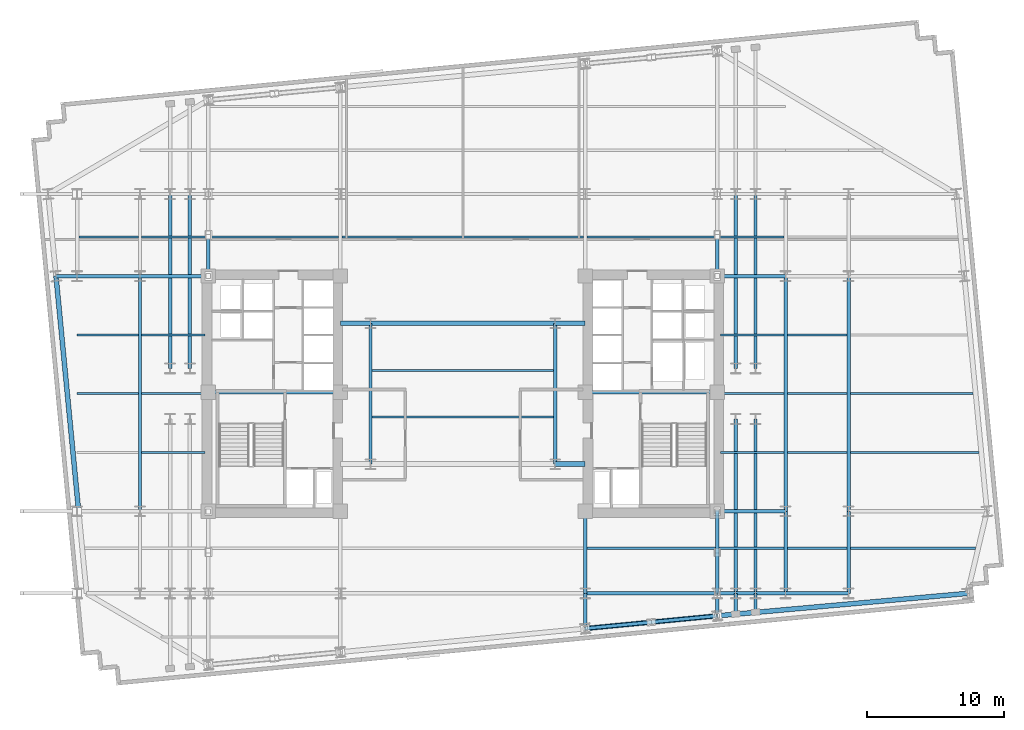
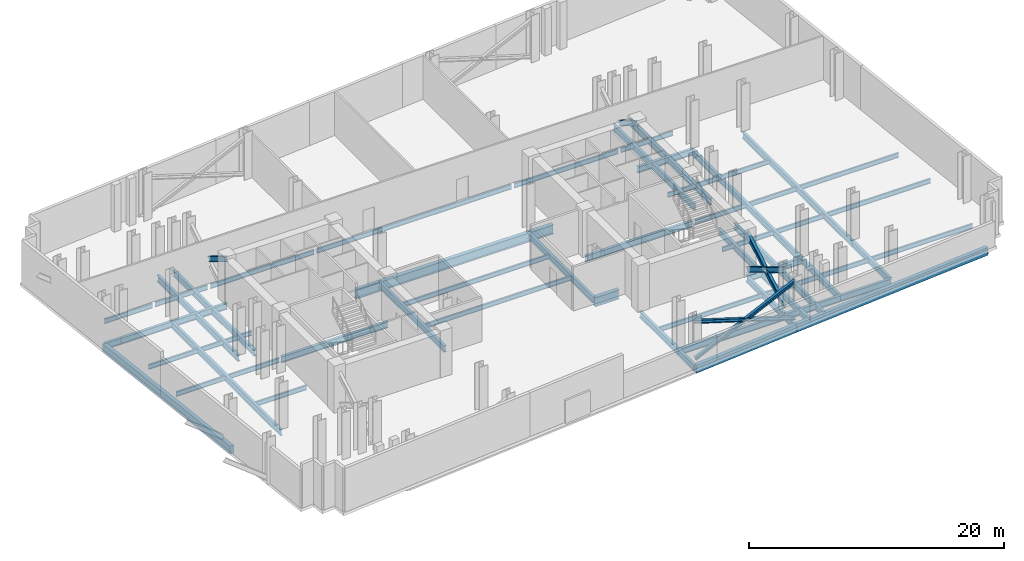
# One storey, part 2 of 9: 61 beams, 8 members.
"""IFC4 building model written with IfcOpenShell, lengths in metres."""

from ifc_helpers import new_model, si_unit, direction, frame, origin, origin_2d, place, context, subcontext, project, spatial, rectangle, i_section, extrude, material, material_profile, profile_set, type_object, element, save


model = new_model("IFC4")

# Units and contexts
model_context = context("Model", 3, precision=1e-05, world=origin(), true_north=direction((0.0, 1.0)))
body_context = subcontext(model_context, "Body", "Model", "MODEL_VIEW")
ifc_project = project(units=[si_unit("LENGTHUNIT", "METRE"), si_unit("AREAUNIT", "SQUARE_METRE"), si_unit("VOLUMEUNIT", "CUBIC_METRE"), si_unit("PLANEANGLEUNIT", "RADIAN"), si_unit("MASSUNIT", "GRAM", prefix="KILO")], contexts=[model_context])

# Site, building, storey
site_placement = place(None, origin())
site = spatial("IfcSite", under=ifc_project, at=site_placement, CompositionType="ELEMENT")
building_placement = place(site_placement, origin())
building = spatial("IfcBuilding", under=site, at=building_placement, Name="Velakula Bourse", CompositionType="ELEMENT")
storey_placement = place(building_placement, frame((0.0, 0.0, 112.14990234375)))
storey = spatial("IfcBuildingStorey", under=building, at=storey_placement, Name="L30", CompositionType="ELEMENT", Elevation=112.14990234375)

# Beams
ifc_material_1 = material(Name="Steel IS 2062 Grade 350 (E350)", Category="steel")
ifc_material_profile_1 = material_profile(ifc_material_1, i_section(OverallWidth=0.25, OverallDepth=0.60009765625, WebThickness=0.01123046875, FlangeThickness=0.021240234375, at=origin_2d()), Name="Steel IS 2062 Grade 350 (E350)")
ifc_profile_set_1 = profile_set([ifc_material_profile_1], Name="Steel IS 2062 Grade 350 (E350)")
beam_type_1 = type_object("IfcBeamType", Name="BM-GRD-600M", PredefinedType="BEAM", material=ifc_profile_set_1)
for number, where, z_axis, x_axis, name in (
    (1, (-18.60009765625, 0.10009765625, -0.579833984375), (1.0, 0.0, 0.0), (0.0, 1.0, 0.0), "L30 Primary Backbone Girder CRW-M"),
    (2, (8.949951171875, 0.10009765625, -0.579833984375), (1.0, 0.0, 0.0), (0.0, 1.0, 0.0), "L30 Primary Backbone Girder CRE-M"),
):
    element("IfcBeam", number, at=place(storey_placement, frame(where, z_axis=z_axis, x_axis=x_axis)), inside=storey, type_object=beam_type_1, Name=name, PredefinedType="BEAM", context=body_context, shape_type="SweptSolid", body=[
        extrude(i_section(OverallWidth=0.25, OverallDepth=0.60009765625, WebThickness=0.01123046875, FlangeThickness=0.021240234375, at=origin_2d()), origin(), (0.0, 0.0, 1.0), 9.650146484375),
    ])
for number, where, z_axis, x_axis, name in (
    (3, (-6.75, -5.14990234375, -0.579833984375), (0.0, 1.0, 0.0), (-1.0, 0.0, 0.0), "L30 Primary Backbone Girder SPN-W"),
    (4, (6.75, -5.14990234375, -0.579833984375), (0.0, 1.0, 0.0), (-1.0, 0.0, 0.0), "L30 Primary Backbone Girder SPN-E"),
):
    element("IfcBeam", number, at=place(storey_placement, frame(where, z_axis=z_axis, x_axis=x_axis)), inside=storey, type_object=beam_type_1, Name=name, PredefinedType="BEAM", context=body_context, shape_type="SweptSolid", body=[
        extrude(i_section(OverallWidth=0.25, OverallDepth=0.60009765625, WebThickness=0.01123046875, FlangeThickness=0.021240234375, at=origin_2d()), origin(), (0.0, 0.0, 1.0), 10.2998046875),
    ])
for number, where, z_axis, x_axis, name in (
    (5, (8.949951171875, -14.60009765625, -0.579833984375), (0.0, 1.0, 0.0), (-1.0, 0.0, 0.0), "L30 Fulcrum Grid Girder FLC-ECS"),
    (6, (18.60009765625, -14.60009765625, -0.579833984375), (0.0, 1.0, 0.0), (-1.0, 0.0, 0.0), "L30 Fulcrum Grid Girder FLC-ES"),
):
    element("IfcBeam", number, at=place(storey_placement, frame(where, z_axis=z_axis, x_axis=x_axis)), inside=storey, type_object=beam_type_1, Name=name, PredefinedType="BEAM", context=body_context, shape_type="SweptSolid", body=[
        extrude(i_section(OverallWidth=0.25, OverallDepth=0.60009765625, WebThickness=0.01123046875, FlangeThickness=0.021240234375, at=origin_2d()), origin(), (0.0, 0.0, 1.0), 6.0),
    ])
beam_1_placement = place(storey_placement, frame((8.949951171875, -14.60009765625, -0.579833984375), z_axis=(1.0, 0.0, 0.0), x_axis=(0.0, 1.0, 0.0)))
element("IfcBeam", 7, at=beam_1_placement, inside=storey, type_object=beam_type_1, Name="L30 Fulcrum Grid Girder FLC-S3", PredefinedType="BEAM", context=body_context, shape_type="SweptSolid", body=[
    extrude(i_section(OverallWidth=0.25, OverallDepth=0.60009765625, WebThickness=0.01123046875, FlangeThickness=0.021240234375, at=origin_2d()), origin(), (0.0, 0.0, 1.0), 9.650146484375),
])
for number, where, z_axis, x_axis, name in (
    (8, (-21.39990234375, 1.85009765625, -0.579833984375), (0.0, 1.0, 0.0), (-1.0, 0.0, 0.0), "L30 Fulcrum Grid Girder FLC-PNW1"),
    (9, (-19.949951171875, 1.85009765625, -0.579833984375), (0.0, 1.0, 0.0), (-1.0, 0.0, 0.0), "L30 Fulcrum Grid Girder FLC-PNW2"),
    (10, (19.949951171875, -14.60009765625, -0.579833984375), (0.0, 1.0, 0.0), (-1.0, 0.0, 0.0), "L30 Fulcrum Grid Girder FLC-PSE1"),
    (11, (19.949951171875, 1.85009765625, -0.579833984375), (0.0, 1.0, 0.0), (-1.0, 0.0, 0.0), "L30 Fulcrum Grid Girder FLC-PNE1"),
    (12, (21.39990234375, -14.60009765625, -0.579833984375), (0.0, 1.0, 0.0), (-1.0, 0.0, 0.0), "L30 Fulcrum Grid Girder FLC-PSE2"),
    (13, (21.39990234375, 1.85009765625, -0.579833984375), (0.0, 1.0, 0.0), (-1.0, 0.0, 0.0), "L30 Fulcrum Grid Girder FLC-PNE2"),
):
    element("IfcBeam", number, at=place(storey_placement, frame(where, z_axis=z_axis, x_axis=x_axis)), inside=storey, type_object=beam_type_1, Name=name, PredefinedType="BEAM", context=body_context, shape_type="SweptSolid", body=[
        extrude(i_section(OverallWidth=0.25, OverallDepth=0.60009765625, WebThickness=0.01123046875, FlangeThickness=0.021240234375, at=origin_2d()), origin(), (0.0, 0.0, 1.0), 12.75),
    ])
beam_2_placement = place(storey_placement, frame((-23.60009765625, 8.60009765625, -0.579833984375), z_axis=(1.0, 0.0, 0.0), x_axis=(0.0, 1.0, 0.0)))
element("IfcBeam", 14, at=beam_2_placement, inside=storey, type_object=beam_type_1, Name="L30 Fulcrum Grid Girder MWG-WN1", PredefinedType="BEAM", context=body_context, shape_type="SweptSolid", body=[
    extrude(i_section(OverallWidth=0.25, OverallDepth=0.60009765625, WebThickness=0.01123046875, FlangeThickness=0.021240234375, at=origin_2d()), origin(), (0.0, 0.0, 1.0), 5.0),
])
beam_3_placement = place(storey_placement, frame((-23.60009765625, -8.60009765625, -0.579833984375), z_axis=(0.0, 1.0, 0.0), x_axis=(-1.0, 0.0, 0.0)))
element("IfcBeam", 15, at=beam_3_placement, inside=storey, type_object=beam_type_1, Name="L30 Fulcrum Grid Girder MWG-WNS2", PredefinedType="BEAM", context=body_context, shape_type="SweptSolid", body=[
    extrude(i_section(OverallWidth=0.25, OverallDepth=0.60009765625, WebThickness=0.01123046875, FlangeThickness=0.021240234375, at=origin_2d()), origin(), (0.0, 0.0, 1.0), 17.2001953125),
])
for number, where, z_axis, x_axis, name in (
    (16, (18.60009765625, -14.60009765625, -0.579833984375), (1.0, 0.0, 0.0), (0.0, 1.0, 0.0), "L30 Fulcrum Grid Girder MWG-ES1"),
    (17, (18.60009765625, -8.60009765625, -0.579833984375), (1.0, 0.0, 0.0), (0.0, 1.0, 0.0), "L30 Fulcrum Grid Girder MWG-ES2"),
    (18, (18.60009765625, 8.60009765625, -0.579833984375), (1.0, 0.0, 0.0), (0.0, 1.0, 0.0), "L30 Fulcrum Grid Girder MWG-EN1"),
):
    element("IfcBeam", number, at=place(storey_placement, frame(where, z_axis=z_axis, x_axis=x_axis)), inside=storey, type_object=beam_type_1, Name=name, PredefinedType="BEAM", context=body_context, shape_type="SweptSolid", body=[
        extrude(i_section(OverallWidth=0.25, OverallDepth=0.60009765625, WebThickness=0.01123046875, FlangeThickness=0.021240234375, at=origin_2d()), origin(), (0.0, 0.0, 1.0), 5.0),
    ])
beam_4_placement = place(storey_placement, frame((23.60009765625, -14.60009765625, -0.579833984375), z_axis=(0.0, 1.0, 0.0), x_axis=(-1.0, 0.0, 0.0)))
element("IfcBeam", 19, at=beam_4_placement, inside=storey, type_object=beam_type_1, Name="L30 Fulcrum Grid Girder MWG-ENS1", PredefinedType="BEAM", context=body_context, shape_type="SweptSolid", body=[
    extrude(i_section(OverallWidth=0.25, OverallDepth=0.60009765625, WebThickness=0.01123046875, FlangeThickness=0.021240234375, at=origin_2d()), origin(), (0.0, 0.0, 1.0), 6.0),
])
beam_5_placement = place(storey_placement, frame((23.60009765625, -8.60009765625, -0.579833984375), z_axis=(0.0, 1.0, 0.0), x_axis=(-1.0, 0.0, 0.0)))
element("IfcBeam", 20, at=beam_5_placement, inside=storey, type_object=beam_type_1, Name="L30 Fulcrum Grid Girder MWG-ENS2", PredefinedType="BEAM", context=body_context, shape_type="SweptSolid", body=[
    extrude(i_section(OverallWidth=0.25, OverallDepth=0.60009765625, WebThickness=0.01123046875, FlangeThickness=0.021240234375, at=origin_2d()), origin(), (0.0, 0.0, 1.0), 17.2001953125),
])
for number, where, z_axis, x_axis, name in (
    (21, (-28.199951171875, 8.60009765625, -0.579833984375), (1.0, 0.0, 0.0), (0.0, 1.0, 0.0), "L30 Fulcrum Grid Girder WNG-WN1"),
    (22, (23.60009765625, -14.60009765625, -0.579833984375), (1.0, 0.0, 0.0), (0.0, 1.0, 0.0), "L30 Fulcrum Grid Girder WNG-ES1"),
):
    element("IfcBeam", number, at=place(storey_placement, frame(where, z_axis=z_axis, x_axis=x_axis)), inside=storey, type_object=beam_type_1, Name=name, PredefinedType="BEAM", context=body_context, shape_type="SweptSolid", body=[
        extrude(i_section(OverallWidth=0.25, OverallDepth=0.60009765625, WebThickness=0.01123046875, FlangeThickness=0.021240234375, at=origin_2d()), origin(), (0.0, 0.0, 1.0), 4.599853515625),
    ])
beam_6_placement = place(storey_placement, frame((28.199951171875, -14.60009765625, -0.579833984375), z_axis=(0.0, 1.0, 0.0), x_axis=(-1.0, 0.0, 0.0)))
element("IfcBeam", 23, at=beam_6_placement, inside=storey, type_object=beam_type_1, Name="L30 Fulcrum Grid Girder WNG-ENS1", PredefinedType="BEAM", context=body_context, shape_type="SweptSolid", body=[
    extrude(i_section(OverallWidth=0.25, OverallDepth=0.60009765625, WebThickness=0.01123046875, FlangeThickness=0.021240234375, at=origin_2d()), origin(), (0.0, 0.0, 1.0), 6.0),
])
beam_7_placement = place(storey_placement, frame((28.199951171875, -8.60009765625, -0.579833984375), z_axis=(0.0, 1.0, 0.0), x_axis=(-1.0, 0.0, 0.0)))
element("IfcBeam", 24, at=beam_7_placement, inside=storey, type_object=beam_type_1, Name="L30 Fulcrum Grid Girder WNG-ENS2", PredefinedType="BEAM", context=body_context, shape_type="SweptSolid", body=[
    extrude(i_section(OverallWidth=0.25, OverallDepth=0.60009765625, WebThickness=0.01123046875, FlangeThickness=0.021240234375, at=origin_2d()), origin(), (0.0, 0.0, 1.0), 17.2001953125),
])
beam_8_placement = place(storey_placement, frame((8.949951171875, -14.60009765625, -0.579833984375), z_axis=(0.0, -1.0, 0.0), x_axis=(1.0, 0.0, 0.0)))
element("IfcBeam", 25, at=beam_8_placement, inside=storey, type_object=beam_type_1, Name="L30 Perimeter Tie Girder S3", PredefinedType="BEAM", context=body_context, shape_type="SweptSolid", body=[
    extrude(i_section(OverallWidth=0.25, OverallDepth=0.60009765625, WebThickness=0.01123046875, FlangeThickness=0.021240234375, at=origin_2d()), origin(), (0.0, 0.0, 1.0), 2.568359375),
])
beam_9_placement = place(storey_placement, frame((18.60009765625, -14.60009765625, -0.579833984375), z_axis=(0.0, -1.0, 0.0), x_axis=(1.0, 0.0, 0.0)))
element("IfcBeam", 26, at=beam_9_placement, inside=storey, type_object=beam_type_1, Name="L30 Perimeter Tie Girder S4", PredefinedType="BEAM", context=body_context, shape_type="SweptSolid", body=[
    extrude(i_section(OverallWidth=0.25, OverallDepth=0.60009765625, WebThickness=0.01123046875, FlangeThickness=0.021240234375, at=origin_2d()), origin(), (0.0, 0.0, 1.0), 1.63916015625),
])
beam_10_placement = place(storey_placement, frame((-28.199951171875, 8.60009765625, -0.579833984375), z_axis=(-1.0, 0.0, 0.0), x_axis=(0.0, -1.0, 0.0)))
element("IfcBeam", 27, at=beam_10_placement, inside=storey, type_object=beam_type_1, Name="L30 Perimeter Tie Girder W3", PredefinedType="BEAM", context=body_context, shape_type="SweptSolid", body=[
    extrude(i_section(OverallWidth=0.25, OverallDepth=0.60009765625, WebThickness=0.01123046875, FlangeThickness=0.021240234375, at=origin_2d()), origin(), (0.0, 0.0, 1.0), 1.542236328125),
])
beam_11_placement = place(storey_placement, frame((19.949951171875, -14.60009765625, -0.579833984375), z_axis=(0.0, -1.0, 0.0), x_axis=(1.0, 0.0, 0.0)))
element("IfcBeam", 28, at=beam_11_placement, inside=storey, type_object=beam_type_1, Name="L30 Perimeter Tie Girder P03", PredefinedType="BEAM", context=body_context, shape_type="SweptSolid", body=[
    extrude(i_section(OverallWidth=0.25, OverallDepth=0.60009765625, WebThickness=0.01123046875, FlangeThickness=0.021240234375, at=origin_2d()), origin(), (0.0, 0.0, 1.0), 1.509033203125),
])
beam_12_placement = place(storey_placement, frame((21.39990234375, -14.60009765625, -0.579833984375), z_axis=(0.0, -1.0, 0.0), x_axis=(1.0, 0.0, 0.0)))
element("IfcBeam", 29, at=beam_12_placement, inside=storey, type_object=beam_type_1, Name="L30 Perimeter Tie Girder P04", PredefinedType="BEAM", context=body_context, shape_type="SweptSolid", body=[
    extrude(i_section(OverallWidth=0.25, OverallDepth=0.60009765625, WebThickness=0.01123046875, FlangeThickness=0.021240234375, at=origin_2d()), origin(), (0.0, 0.0, 1.0), 1.369384765625),
])
ifc_material_profile_2 = material_profile(ifc_material_1, i_section(OverallWidth=0.35009765625, OverallDepth=0.89990234375, WebThickness=0.02001953125, FlangeThickness=0.031982421875, at=origin_2d()), Name="Steel IS 2062 Grade 350 (E350)")
ifc_profile_set_2 = profile_set([ifc_material_profile_2], Name="Steel IS 2062 Grade 350 (E350)")
beam_type_2 = type_object("IfcBeamType", Name="BM-LNK-900", PredefinedType="BEAM", material=ifc_profile_set_2)
for number, where, z_axis, x_axis, name in (
    (30, (6.75, -5.14990234375, -0.72998046875), (1.0, 0.0, 0.0), (0.0, 1.0, 0.0), "L30 Primary Backbone Girder LNK-S3"),
    (31, (-8.949951171875, 5.14990234375, -0.72998046875), (1.0, 0.0, 0.0), (0.0, 1.0, 0.0), "L30 Primary Backbone Girder LNK-N1"),
):
    element("IfcBeam", number, at=place(storey_placement, frame(where, z_axis=z_axis, x_axis=x_axis)), inside=storey, type_object=beam_type_2, Name=name, PredefinedType="BEAM", context=body_context, shape_type="SweptSolid", body=[
        extrude(i_section(OverallWidth=0.35009765625, OverallDepth=0.89990234375, WebThickness=0.02001953125, FlangeThickness=0.031982421875, at=origin_2d()), origin(), (0.0, 0.0, 1.0), 2.199951171875),
    ])
beam_13_placement = place(storey_placement, frame((-6.75, 5.14990234375, -0.72998046875), z_axis=(1.0, 0.0, 0.0), x_axis=(0.0, 1.0, 0.0)))
element("IfcBeam", 32, at=beam_13_placement, inside=storey, type_object=beam_type_2, Name="L30 Primary Backbone Girder LNK-N2", PredefinedType="BEAM", context=body_context, shape_type="SweptSolid", body=[
    extrude(i_section(OverallWidth=0.35009765625, OverallDepth=0.89990234375, WebThickness=0.02001953125, FlangeThickness=0.031982421875, at=origin_2d()), origin(), (0.0, 0.0, 1.0), 13.5),
])
beam_14_placement = place(storey_placement, frame((6.75, 5.14990234375, -0.72998046875), z_axis=(1.0, 0.0, 0.0), x_axis=(0.0, 1.0, 0.0)))
element("IfcBeam", 33, at=beam_14_placement, inside=storey, type_object=beam_type_2, Name="L30 Primary Backbone Girder LNK-N3", PredefinedType="BEAM", context=body_context, shape_type="SweptSolid", body=[
    extrude(i_section(OverallWidth=0.35009765625, OverallDepth=0.89990234375, WebThickness=0.02001953125, FlangeThickness=0.031982421875, at=origin_2d()), origin(), (0.0, 0.0, 1.0), 2.199951171875),
])

# Members
ifc_material_profile_3 = material_profile(ifc_material_1, i_section(OverallWidth=0.25, OverallDepth=0.300048828125, WebThickness=0.009521484375, FlangeThickness=0.010498046875, at=origin_2d()), Name="Steel IS 2062 Grade 350 (E350)")
ifc_profile_set_3 = profile_set([ifc_material_profile_3], Name="Steel IS 2062 Grade 350 (E350)")
member_type_1 = type_object("IfcMemberType", Name="BR-BLT-300", PredefinedType="BRACE", material=ifc_profile_set_3)
member_1_placement = place(storey_placement, frame((8.949951171875, -17.16845703125, 0.300048828125), z_axis=(0.934076090828, 0.089940891079, 0.345561127234), x_axis=(-0.095845323155, 0.99539623971, 0.0)))
element("IfcMember", 34, at=member_1_placement, inside=storey, type_object=member_type_1, Name="L30 Continuous Outrigger and Belt X-Brace BT-S3", PredefinedType="BRACE", context=body_context, shape_type="SweptSolid", body=[
    extrude(i_section(OverallWidth=0.25, OverallDepth=0.300048828125, WebThickness=0.009521484375, FlangeThickness=0.010498046875, at=origin_2d()), origin(), (0.0, 0.0, 1.0), 10.331298828125),
])
for number, where, z_axis, x_axis, name in (
    (35, (18.60009765625, -16.2392578125, 0.300048828125), (-0.934084021922, -0.089920403816, 0.345545020175), (0.095822885289, -0.995398399966, 0.0), "L30 Split X-Brace Lower Segment BT-S4A"),
    (36, (13.644287109375, -16.71630859375, 2.133544921875), (-0.934079940509, -0.089968590068, 0.345543510341), (0.095874177742, -0.99539346092, 0.0), "L30 Split X-Brace Upper Segment BT-S4B"),
):
    element("IfcMember", number, at=place(storey_placement, frame(where, z_axis=z_axis, x_axis=x_axis)), inside=storey, type_object=member_type_1, Name=name, PredefinedType="BRACE", context=body_context, shape_type="SweptSolid", body=[
        extrude(i_section(OverallWidth=0.25, OverallDepth=0.300048828125, WebThickness=0.009521484375, FlangeThickness=0.010498046875, at=origin_2d()), origin(), (0.0, 0.0, 1.0), 5.025634765625),
    ])
ifc_material_profile_4 = material_profile(ifc_material_1, i_section(OverallWidth=0.25, OverallDepth=0.449951171875, WebThickness=0.01123046875, FlangeThickness=0.013671875, at=origin_2d()), Name="Steel IS 2062 Grade 350 (E350)")
ifc_profile_set_4 = profile_set([ifc_material_profile_4], Name="Steel IS 2062 Grade 350 (E350)")
member_type_2 = type_object("IfcMemberType", Name="BR-OTR-450", PredefinedType="BRACE", material=ifc_profile_set_4)
member_2_placement = place(storey_placement, frame((-18.60009765625, 11.479736328125, 2.15673828125), z_axis=(0.0, -0.859383602776, 0.511331422152), x_axis=(1.0, 0.0, 0.0)))
element("IfcMember", 37, at=member_2_placement, inside=storey, type_object=member_type_2, Name="L30 Split X-Brace Upper Segment OT-NS4B", PredefinedType="BRACE", context=body_context, shape_type="SweptSolid", body=[
    extrude(i_section(OverallWidth=0.25, OverallDepth=0.449951171875, WebThickness=0.01123046875, FlangeThickness=0.013671875, at=origin_2d()), origin(), (0.0, 0.0, 1.0), 3.350830078125),
])
member_3_placement = place(storey_placement, frame((18.60009765625, -8.60009765625, 0.300048828125), z_axis=(0.0, -0.859378499817, 0.511339998487), x_axis=(1.0, 0.0, 0.0)))
element("IfcMember", 38, at=member_3_placement, inside=storey, type_object=member_type_2, Name="L30 Continuous Outrigger and Belt X-Brace OT-NS5", PredefinedType="BRACE", context=body_context, shape_type="SweptSolid", body=[
    extrude(i_section(OverallWidth=0.25, OverallDepth=0.449951171875, WebThickness=0.01123046875, FlangeThickness=0.013671875, at=origin_2d()), origin(), (0.0, 0.0, 1.0), 6.981689453125),
])
member_4_placement = place(storey_placement, frame((18.60009765625, -14.60009765625, 0.300048828125), z_axis=(0.0, 0.859402650947, 0.511299406947), x_axis=(-1.0, 0.0, 0.0)))
element("IfcMember", 39, at=member_4_placement, inside=storey, type_object=member_type_2, Name="L30 Split X-Brace Lower Segment OT-NS6A", PredefinedType="BRACE", context=body_context, shape_type="SweptSolid", body=[
    extrude(i_section(OverallWidth=0.25, OverallDepth=0.449951171875, WebThickness=0.01123046875, FlangeThickness=0.013671875, at=origin_2d()), origin(), (0.0, 0.0, 1.0), 3.35107421875),
])
for number, where, z_axis, x_axis, name in (
    (40, (18.60009765625, -11.479736328125, 2.15673828125), (0.0, 0.859383602776, 0.511331422152), (-1.0, 0.0, 0.0), "L30 Split X-Brace Upper Segment OT-NS6B"),
    (41, (18.60009765625, 11.479736328125, 2.15673828125), (0.0, -0.859383602776, 0.511331422152), (1.0, 0.0, 0.0), "L30 Split X-Brace Upper Segment OT-NS8B"),
):
    element("IfcMember", number, at=place(storey_placement, frame(where, z_axis=z_axis, x_axis=x_axis)), inside=storey, type_object=member_type_2, Name=name, PredefinedType="BRACE", context=body_context, shape_type="SweptSolid", body=[
        extrude(i_section(OverallWidth=0.25, OverallDepth=0.449951171875, WebThickness=0.01123046875, FlangeThickness=0.013671875, at=origin_2d()), origin(), (0.0, 0.0, 1.0), 3.350830078125),
    ])

# Beams
ifc_material_profile_5 = material_profile(ifc_material_1, i_section(OverallWidth=0.14990234375, OverallDepth=0.449951171875, WebThickness=0.009521484375, FlangeThickness=0.017333984375, at=origin_2d()), Name="Steel IS 2062 Grade 350 (E350)")
ifc_profile_set_5 = profile_set([ifc_material_profile_5], Name="Steel IS 2062 Grade 350 (E350)")
beam_type_3 = type_object("IfcBeamType", Name="JST-TWR-450", PredefinedType="JOIST", material=ifc_profile_set_5)
beam_15_placement = place(storey_placement, frame((9.074951171875, -11.300048828125, -0.5048828125), z_axis=(1.0, 0.0, 0.0), x_axis=(0.0, 1.0, 0.0)))
element("IfcBeam", 42, at=beam_15_placement, inside=storey, type_object=beam_type_3, Name="L30 Trading Floor Composite Joist 08", PredefinedType="JOIST", context=body_context, shape_type="SweptSolid", body=[
    extrude(i_section(OverallWidth=0.14990234375, OverallDepth=0.449951171875, WebThickness=0.009521484375, FlangeThickness=0.017333984375, at=origin_2d()), origin(), (0.0, 0.0, 1.0), 9.400146484375),
])
beam_16_placement = place(storey_placement, frame((18.72509765625, -11.300048828125, -0.5048828125), z_axis=(1.0, 0.0, 0.0), x_axis=(0.0, 1.0, 0.0)))
element("IfcBeam", 43, at=beam_16_placement, inside=storey, type_object=beam_type_3, Name="L30 Trading Floor Composite Joist 09", PredefinedType="JOIST", context=body_context, shape_type="SweptSolid", body=[
    extrude(i_section(OverallWidth=0.14990234375, OverallDepth=0.449951171875, WebThickness=0.009521484375, FlangeThickness=0.017333984375, at=origin_2d()), origin(), (0.0, 0.0, 1.0), 4.75),
])
beam_17_placement = place(storey_placement, frame((23.72509765625, -11.300048828125, -0.5048828125), z_axis=(1.0, 0.0, 0.0), x_axis=(0.0, 1.0, 0.0)))
element("IfcBeam", 44, at=beam_17_placement, inside=storey, type_object=beam_type_3, Name="L30 Trading Floor Composite Joist 10", PredefinedType="JOIST", context=body_context, shape_type="SweptSolid", body=[
    extrude(i_section(OverallWidth=0.14990234375, OverallDepth=0.449951171875, WebThickness=0.009521484375, FlangeThickness=0.017333984375, at=origin_2d()), origin(), (0.0, 0.0, 1.0), 4.349853515625),
])
beam_18_placement = place(storey_placement, frame((28.324951171875, -11.300048828125, -0.5048828125), z_axis=(1.0, 0.0, 0.0), x_axis=(0.0, 1.0, 0.0)))
element("IfcBeam", 45, at=beam_18_placement, inside=storey, type_object=beam_type_3, Name="L30 Trading Floor Composite Joist 11", PredefinedType="JOIST", context=body_context, shape_type="SweptSolid", body=[
    extrude(i_section(OverallWidth=0.14990234375, OverallDepth=0.449951171875, WebThickness=0.009521484375, FlangeThickness=0.017333984375, at=origin_2d()), origin(), (0.0, 0.0, 1.0), 9.170654296875),
])
beam_19_placement = place(storey_placement, frame((-28.074951171875, 11.449951171875, -0.5048828125), z_axis=(1.0, 0.0, 0.0), x_axis=(0.0, 1.0, 0.0)))
element("IfcBeam", 46, at=beam_19_placement, inside=storey, type_object=beam_type_3, Name="L30 Trading Floor Composite Joist 12", PredefinedType="JOIST", context=body_context, shape_type="SweptSolid", body=[
    extrude(i_section(OverallWidth=0.14990234375, OverallDepth=0.449951171875, WebThickness=0.009521484375, FlangeThickness=0.017333984375, at=origin_2d()), origin(), (0.0, 0.0, 1.0), 4.349853515625),
])
beam_20_placement = place(storey_placement, frame((-23.47509765625, 11.449951171875, -0.5048828125), z_axis=(1.0, 0.0, 0.0), x_axis=(0.0, 1.0, 0.0)))
element("IfcBeam", 47, at=beam_20_placement, inside=storey, type_object=beam_type_3, Name="L30 Trading Floor Composite Joist 13", PredefinedType="JOIST", context=body_context, shape_type="SweptSolid", body=[
    extrude(i_section(OverallWidth=0.14990234375, OverallDepth=0.449951171875, WebThickness=0.009521484375, FlangeThickness=0.017333984375, at=origin_2d()), origin(), (0.0, 0.0, 1.0), 4.75),
])
beam_21_placement = place(storey_placement, frame((-18.47509765625, 11.449951171875, -0.5048828125), z_axis=(1.0, 0.0, 0.0), x_axis=(0.0, 1.0, 0.0)))
element("IfcBeam", 48, at=beam_21_placement, inside=storey, type_object=beam_type_3, Name="L30 Trading Floor Composite Joist 14", PredefinedType="JOIST", context=body_context, shape_type="SweptSolid", body=[
    extrude(i_section(OverallWidth=0.14990234375, OverallDepth=0.449951171875, WebThickness=0.009521484375, FlangeThickness=0.017333984375, at=origin_2d()), origin(), (0.0, 0.0, 1.0), 9.400146484375),
])
beam_22_placement = place(storey_placement, frame((-8.824951171875, 11.449951171875, -0.5048828125), z_axis=(1.0, 0.0, 0.0), x_axis=(0.0, 1.0, 0.0)))
element("IfcBeam", 49, at=beam_22_placement, inside=storey, type_object=beam_type_3, Name="L30 Trading Floor Composite Joist 15", PredefinedType="JOIST", context=body_context, shape_type="SweptSolid", body=[
    extrude(i_section(OverallWidth=0.14990234375, OverallDepth=0.449951171875, WebThickness=0.009521484375, FlangeThickness=0.017333984375, at=origin_2d()), origin(), (0.0, 0.0, 1.0), 17.64990234375),
])
beam_23_placement = place(storey_placement, frame((9.074951171875, 11.449951171875, -0.5048828125), z_axis=(1.0, 0.0, 0.0), x_axis=(0.0, 1.0, 0.0)))
element("IfcBeam", 50, at=beam_23_placement, inside=storey, type_object=beam_type_3, Name="L30 Trading Floor Composite Joist 16", PredefinedType="JOIST", context=body_context, shape_type="SweptSolid", body=[
    extrude(i_section(OverallWidth=0.14990234375, OverallDepth=0.449951171875, WebThickness=0.009521484375, FlangeThickness=0.017333984375, at=origin_2d()), origin(), (0.0, 0.0, 1.0), 9.400146484375),
])
beam_24_placement = place(storey_placement, frame((18.72509765625, 11.449951171875, -0.5048828125), z_axis=(1.0, 0.0, 0.0), x_axis=(0.0, 1.0, 0.0)))
element("IfcBeam", 51, at=beam_24_placement, inside=storey, type_object=beam_type_3, Name="L30 Trading Floor Composite Joist 17", PredefinedType="JOIST", context=body_context, shape_type="SweptSolid", body=[
    extrude(i_section(OverallWidth=0.14990234375, OverallDepth=0.449951171875, WebThickness=0.009521484375, FlangeThickness=0.017333984375, at=origin_2d()), origin(), (0.0, 0.0, 1.0), 4.75),
])
for number, where, z_axis, x_axis, name in (
    (52, (-6.625, -1.699951171875, -0.5048828125), (1.0, 0.0, 0.0), (0.0, 1.0, 0.0), "L30 Trading Floor Composite Joist 31"),
    (53, (-6.625, 1.699951171875, -0.5048828125), (1.0, 0.0, 0.0), (0.0, 1.0, 0.0), "L30 Trading Floor Composite Joist 32"),
):
    element("IfcBeam", number, at=place(storey_placement, frame(where, z_axis=z_axis, x_axis=x_axis)), inside=storey, type_object=beam_type_3, Name=name, PredefinedType="JOIST", context=body_context, shape_type="SweptSolid", body=[
        extrude(i_section(OverallWidth=0.14990234375, OverallDepth=0.449951171875, WebThickness=0.009521484375, FlangeThickness=0.017333984375, at=origin_2d()), origin(), (0.0, 0.0, 1.0), 13.25),
    ])
for number, where, z_axis, x_axis, name in (
    (54, (-23.47509765625, -4.300048828125, -0.5048828125), (1.0, 0.0, 0.0), (0.0, 1.0, 0.0), "L30 Trading Floor Composite Joist 34"),
    (55, (18.85009765625, -4.300048828125, -0.5048828125), (1.0, 0.0, 0.0), (0.0, 1.0, 0.0), "L30 Trading Floor Composite Joist 35"),
):
    element("IfcBeam", number, at=place(storey_placement, frame(where, z_axis=z_axis, x_axis=x_axis)), inside=storey, type_object=beam_type_3, Name=name, PredefinedType="JOIST", context=body_context, shape_type="SweptSolid", body=[
        extrude(i_section(OverallWidth=0.14990234375, OverallDepth=0.449951171875, WebThickness=0.009521484375, FlangeThickness=0.017333984375, at=origin_2d()), origin(), (0.0, 0.0, 1.0), 4.625),
    ])
beam_25_placement = place(storey_placement, frame((23.72509765625, -4.300048828125, -0.5048828125), z_axis=(1.0, 0.0, 0.0), x_axis=(0.0, 1.0, 0.0)))
element("IfcBeam", 56, at=beam_25_placement, inside=storey, type_object=beam_type_3, Name="L30 Trading Floor Composite Joist 36", PredefinedType="JOIST", context=body_context, shape_type="SweptSolid", body=[
    extrude(i_section(OverallWidth=0.14990234375, OverallDepth=0.449951171875, WebThickness=0.009521484375, FlangeThickness=0.017333984375, at=origin_2d()), origin(), (0.0, 0.0, 1.0), 4.349853515625),
])
beam_26_placement = place(storey_placement, frame((28.324951171875, -4.300048828125, -0.5048828125), z_axis=(1.0, 0.0, 0.0), x_axis=(0.0, 1.0, 0.0)))
element("IfcBeam", 57, at=beam_26_placement, inside=storey, type_object=beam_type_3, Name="L30 Trading Floor Composite Joist 37", PredefinedType="JOIST", context=body_context, shape_type="SweptSolid", body=[
    extrude(i_section(OverallWidth=0.14990234375, OverallDepth=0.449951171875, WebThickness=0.009521484375, FlangeThickness=0.017333984375, at=origin_2d()), origin(), (0.0, 0.0, 1.0), 9.405029296875),
])
beam_27_placement = place(storey_placement, frame((-28.199951171875, 0.0, -0.5048828125), z_axis=(1.0, 0.0, 0.0), x_axis=(0.0, 1.0, 0.0)))
element("IfcBeam", 58, at=beam_27_placement, inside=storey, type_object=beam_type_3, Name="L30 Trading Floor Composite Joist 38", PredefinedType="JOIST", context=body_context, shape_type="SweptSolid", body=[
    extrude(i_section(OverallWidth=0.14990234375, OverallDepth=0.449951171875, WebThickness=0.009521484375, FlangeThickness=0.017333984375, at=origin_2d()), origin(), (0.0, 0.0, 1.0), 4.474853515625),
])
for number, where, z_axis, x_axis, name in (
    (59, (-23.47509765625, 0.0, -0.5048828125), (1.0, 0.0, 0.0), (0.0, 1.0, 0.0), "L30 Trading Floor Composite Joist 39"),
    (60, (18.85009765625, 0.0, -0.5048828125), (1.0, 0.0, 0.0), (0.0, 1.0, 0.0), "L30 Trading Floor Composite Joist 40"),
):
    element("IfcBeam", number, at=place(storey_placement, frame(where, z_axis=z_axis, x_axis=x_axis)), inside=storey, type_object=beam_type_3, Name=name, PredefinedType="JOIST", context=body_context, shape_type="SweptSolid", body=[
        extrude(i_section(OverallWidth=0.14990234375, OverallDepth=0.449951171875, WebThickness=0.009521484375, FlangeThickness=0.017333984375, at=origin_2d()), origin(), (0.0, 0.0, 1.0), 4.625),
    ])
beam_28_placement = place(storey_placement, frame((23.72509765625, 0.0, -0.5048828125), z_axis=(1.0, 0.0, 0.0), x_axis=(0.0, 1.0, 0.0)))
element("IfcBeam", 61, at=beam_28_placement, inside=storey, type_object=beam_type_3, Name="L30 Trading Floor Composite Joist 41", PredefinedType="JOIST", context=body_context, shape_type="SweptSolid", body=[
    extrude(i_section(OverallWidth=0.14990234375, OverallDepth=0.449951171875, WebThickness=0.009521484375, FlangeThickness=0.017333984375, at=origin_2d()), origin(), (0.0, 0.0, 1.0), 4.349853515625),
])
beam_29_placement = place(storey_placement, frame((28.324951171875, 0.0, -0.5048828125), z_axis=(1.0, 0.0, 0.0), x_axis=(0.0, 1.0, 0.0)))
element("IfcBeam", 62, at=beam_29_placement, inside=storey, type_object=beam_type_3, Name="L30 Trading Floor Composite Joist 42", PredefinedType="JOIST", context=body_context, shape_type="SweptSolid", body=[
    extrude(i_section(OverallWidth=0.14990234375, OverallDepth=0.449951171875, WebThickness=0.009521484375, FlangeThickness=0.017333984375, at=origin_2d()), origin(), (0.0, 0.0, 1.0), 8.990966796875),
])
beam_30_placement = place(storey_placement, frame((-28.199951171875, 4.300048828125, -0.5048828125), z_axis=(1.0, 0.0, 0.0), x_axis=(0.0, 1.0, 0.0)))
element("IfcBeam", 63, at=beam_30_placement, inside=storey, type_object=beam_type_3, Name="L30 Trading Floor Composite Joist 43", PredefinedType="JOIST", context=body_context, shape_type="SweptSolid", body=[
    extrude(i_section(OverallWidth=0.14990234375, OverallDepth=0.449951171875, WebThickness=0.009521484375, FlangeThickness=0.017333984375, at=origin_2d()), origin(), (0.0, 0.0, 1.0), 4.474853515625),
])
for number, where, z_axis, x_axis, name in (
    (64, (-23.47509765625, 4.300048828125, -0.5048828125), (1.0, 0.0, 0.0), (0.0, 1.0, 0.0), "L30 Trading Floor Composite Joist 44"),
    (65, (18.85009765625, 4.300048828125, -0.5048828125), (1.0, 0.0, 0.0), (0.0, 1.0, 0.0), "L30 Trading Floor Composite Joist 45"),
):
    element("IfcBeam", number, at=place(storey_placement, frame(where, z_axis=z_axis, x_axis=x_axis)), inside=storey, type_object=beam_type_3, Name=name, PredefinedType="JOIST", context=body_context, shape_type="SweptSolid", body=[
        extrude(i_section(OverallWidth=0.14990234375, OverallDepth=0.449951171875, WebThickness=0.009521484375, FlangeThickness=0.017333984375, at=origin_2d()), origin(), (0.0, 0.0, 1.0), 4.625),
    ])
beam_31_placement = place(storey_placement, frame((23.72509765625, 4.300048828125, -0.5048828125), z_axis=(1.0, 0.0, 0.0), x_axis=(0.0, 1.0, 0.0)))
element("IfcBeam", 66, at=beam_31_placement, inside=storey, type_object=beam_type_3, Name="L30 Trading Floor Composite Joist 46", PredefinedType="JOIST", context=body_context, shape_type="SweptSolid", body=[
    extrude(i_section(OverallWidth=0.14990234375, OverallDepth=0.449951171875, WebThickness=0.009521484375, FlangeThickness=0.017333984375, at=origin_2d()), origin(), (0.0, 0.0, 1.0), 4.349853515625),
])
ifc_material_2 = material(Name="Precast concrete M45 (fck 45 MPa)", Category="concrete")
ifc_material_profile_6 = material_profile(ifc_material_2, rectangle(XDim=0.35009765625, YDim=0.75, at=origin_2d()), Name="Precast concrete M45 (fck 45 MPa)")
ifc_profile_set_6 = profile_set([ifc_material_profile_6], Name="Precast concrete M45 (fck 45 MPa)")
beam_type_4 = type_object("IfcBeamType", Name="SPN-BRICK-750", PredefinedType="SPANDREL", material=ifc_profile_set_6)
beam_32_placement = place(storey_placement, frame((8.949951171875, -17.16845703125, -0.65478515625), z_axis=(0.99539623971, 0.095845323155, 0.0), x_axis=(-0.095845323155, 0.99539623971, 0.0)))
element("IfcBeam", 67, at=beam_32_placement, inside=storey, type_object=beam_type_4, Name="L30 Brick-Faced Precast Spandrel S3-S4", PredefinedType="SPANDREL", context=body_context, shape_type="SweptSolid", body=[
    extrude(rectangle(XDim=0.35009765625, YDim=0.75, at=origin_2d()), origin(), (0.0, 0.0, 1.0), 9.69482421875),
])
beam_33_placement = place(storey_placement, frame((-28.0859375, -8.60009765625, -0.65478515625), z_axis=(-0.095849167925, 0.995395869495, 0.0), x_axis=(-0.995395869495, -0.095849167925, 0.0)))
element("IfcBeam", 68, at=beam_33_placement, inside=storey, type_object=beam_type_4, Name="L30 Brick-Faced Precast Spandrel W2-W3", PredefinedType="SPANDREL", context=body_context, shape_type="SweptSolid", body=[
    extrude(rectangle(XDim=0.35009765625, YDim=0.75, at=origin_2d()), origin(), (0.0, 0.0, 1.0), 17.27978515625),
])
beam_34_placement = place(storey_placement, frame((18.60009765625, -16.2392578125, -0.65478515625), z_axis=(0.99600727708, 0.089272078527, 0.0), x_axis=(-0.089272078527, 0.99600727708, 0.0)))
element("IfcBeam", 69, at=beam_34_placement, inside=storey, type_object=beam_type_4, Name="L30 Brick-Faced Precast Spandrel S4-E1", PredefinedType="SPANDREL", context=body_context, shape_type="SweptSolid", body=[
    extrude(rectangle(XDim=0.35009765625, YDim=0.75, at=origin_2d()), origin(), (0.0, 0.0, 1.0), 18.361328125),
])

save(model, "model.ifc")
